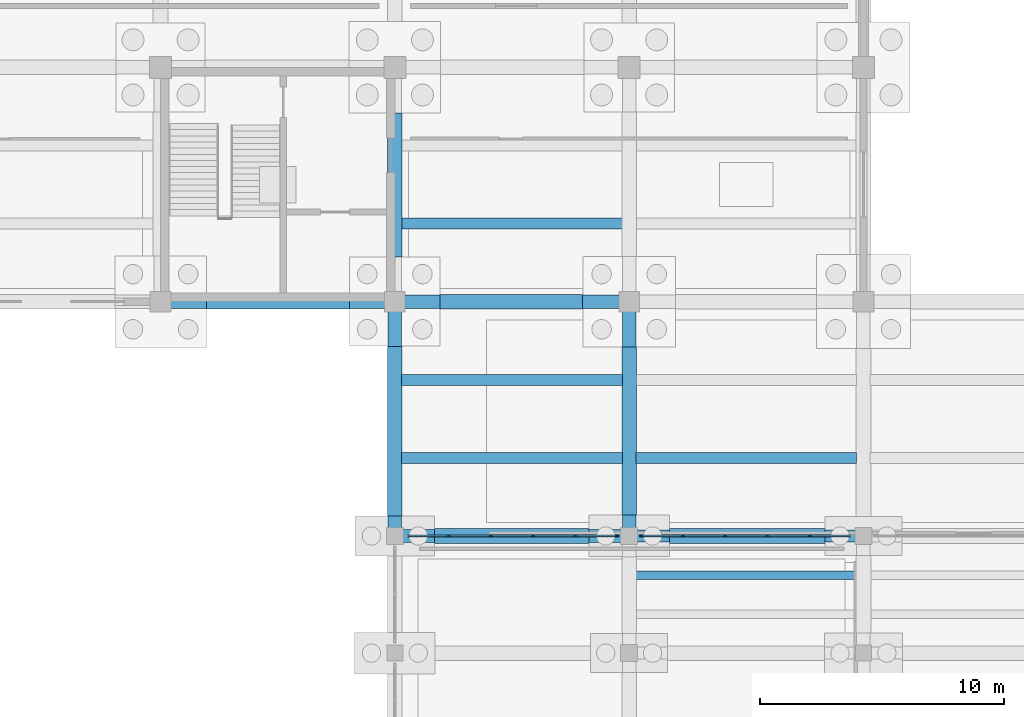
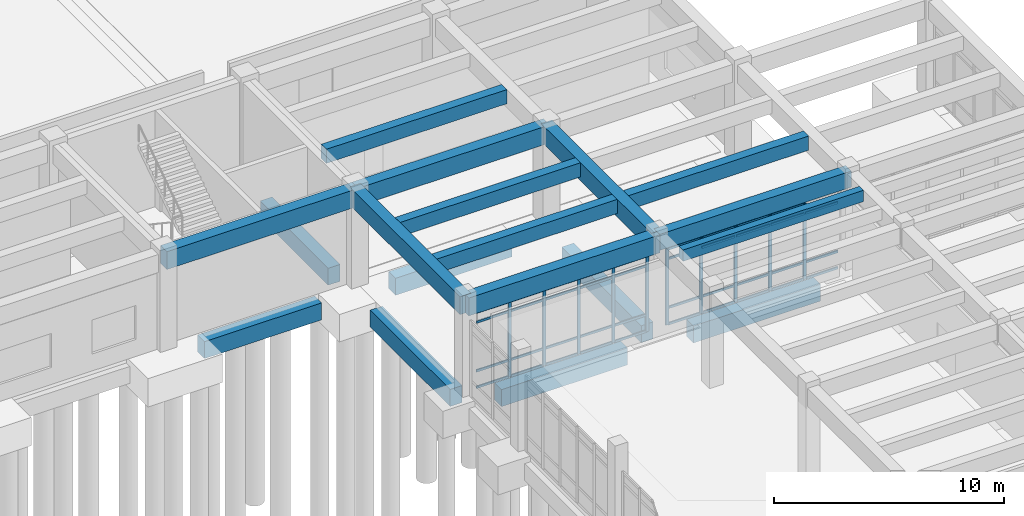
# One storey, part 51 of 102: 49 members, 18 beams, 2 elements without a shape of their own.
"""IFC4 building model written with IfcOpenShell, lengths in metres."""

from ifc_helpers import new_model, si_unit, direction, frame, origin, origin_2d, place, context, subcontext, project, spatial, rectangle, extrude, material, layer, layer_set, material_profile, profile_set, type_object, element, aggregate, save


model = new_model("IFC4")

# Units and contexts
model_context = context("Model", 3, precision=1e-05, world=origin(), true_north=direction((0.0, 1.0)))
body_context = subcontext(model_context, "Body", "Model", "MODEL_VIEW")
ifc_project = project(units=[si_unit("LENGTHUNIT", "METRE"), si_unit("AREAUNIT", "SQUARE_METRE"), si_unit("VOLUMEUNIT", "CUBIC_METRE"), si_unit("PLANEANGLEUNIT", "RADIAN"), si_unit("MASSUNIT", "GRAM", prefix="KILO")], contexts=[model_context])

# Site, building, storey
site_placement = place(None, origin())
site = spatial("IfcSite", under=ifc_project, at=site_placement, CompositionType="ELEMENT")
building_placement = place(site_placement, origin())
building = spatial("IfcBuilding", under=site, at=building_placement, Name="Kolvemor Railside Polytechnic", CompositionType="ELEMENT")
storey_placement = place(building_placement, origin())
storey = spatial("IfcBuildingStorey", under=building, at=storey_placement, Name="L00", CompositionType="ELEMENT", Elevation=0.0)

# Beams
ifc_material_1 = material(Name="Concrete C40/50", Category="concrete")
ifc_material_profile_1 = material_profile(ifc_material_1, rectangle(XDim=0.550048828125, YDim=0.949951171875, at=origin_2d()), Name="RC550x950")
ifc_profile_set_1 = profile_set([ifc_material_profile_1], Name="Concrete C40/50")
beam_type_1 = type_object("IfcBeamType", Name="BM-RC-GIRD", PredefinedType="BEAM", material=ifc_profile_set_1)
beam_1_placement = place(storey_placement, frame((124.800048828125, 91.199951171875, 4.635009765625), z_axis=(1.0, 0.0, 0.0), x_axis=(0.0, 1.0, 0.0)))
element("IfcBeam", 1, at=beam_1_placement, inside=storey, type_object=beam_type_1, Name="Primary Girder L01-GX 0502", PredefinedType="BEAM", context=body_context, shape_type="SweptSolid", body=[
    extrude(rectangle(XDim=0.550048828125, YDim=0.949951171875, at=origin_2d()), origin(), (0.0, 0.0, 1.0), 9.599853515625),
])
for number, where, z_axis, x_axis, name in (
    (2, (134.39990234375, 91.199951171875, 4.635009765625), (1.0, 0.0, 0.0), (0.0, 1.0, 0.0), "Primary Girder L01-GX 0503"),
    (3, (134.39990234375, 81.60009765625, 4.635009765625), (1.0, 0.0, 0.0), (0.0, 1.0, 0.0), "Primary Girder L01-GX 1058"),
):
    element("IfcBeam", number, at=place(storey_placement, frame(where, z_axis=z_axis, x_axis=x_axis)), inside=storey, type_object=beam_type_1, Name=name, PredefinedType="BEAM", context=body_context, shape_type="SweptSolid", body=[
        extrude(rectangle(XDim=0.550048828125, YDim=0.949951171875, at=origin_2d()), origin(), (0.0, 0.0, 1.0), 9.60009765625),
    ])
for number, where, z_axis, x_axis, name in (
    (4, (134.39990234375, 81.60009765625, 4.635009765625), (0.0, 1.0, 0.0), (-1.0, 0.0, 0.0), "Primary Girder L01-GY 1060"),
    (5, (144.0, 81.60009765625, 4.635009765625), (0.0, 1.0, 0.0), (-1.0, 0.0, 0.0), "Primary Girder L01-GY 1061"),
):
    element("IfcBeam", number, at=place(storey_placement, frame(where, z_axis=z_axis, x_axis=x_axis)), inside=storey, type_object=beam_type_1, Name=name, PredefinedType="BEAM", context=body_context, shape_type="SweptSolid", body=[
        extrude(rectangle(XDim=0.550048828125, YDim=0.949951171875, at=origin_2d()), origin(), (0.0, 0.0, 1.0), 9.599853515625),
    ])
ifc_material_2 = material(Name="Concrete C40/50", Category="concrete")
ifc_material_profile_2 = material_profile(ifc_material_2, rectangle(XDim=0.5, YDim=0.85009765625, at=origin_2d()), Name="RC500x850")
ifc_profile_set_2 = profile_set([ifc_material_profile_2], Name="Concrete C40/50")
beam_type_2 = type_object("IfcBeamType", Name="BM-RC-GIRD3", PredefinedType="BEAM", material=ifc_profile_set_2)
beam_2_placement = place(storey_placement, frame((144.0, 81.60009765625, 4.68505859375), z_axis=(1.0, 0.0, 0.0), x_axis=(0.0, 1.0, 0.0)))
element("IfcBeam", 6, at=beam_2_placement, inside=storey, type_object=beam_type_2, Name="Primary Girder L01-GX 0374", PredefinedType="BEAM", context=body_context, shape_type="SweptSolid", body=[
    extrude(rectangle(XDim=0.5, YDim=0.85009765625, at=origin_2d()), origin(), (0.0, 0.0, 1.0), 9.60009765625),
])
ifc_material_3 = material(Name="Concrete C40/50", Category="concrete")
ifc_material_profile_3 = material_profile(ifc_material_3, rectangle(XDim=0.449951171875, YDim=0.75, at=origin_2d()), Name="RC450x750")
ifc_profile_set_3 = profile_set([ifc_material_profile_3], Name="Concrete C40/50")
beam_type_3 = type_object("IfcBeamType", Name="BM-RC-SEC", PredefinedType="JOIST", material=ifc_profile_set_3)
for number, where, z_axis, x_axis, name in (
    (7, (134.675048828125, 94.39990234375, 4.735107421875), (1.0, 0.0, 0.0), (0.0, 1.0, 0.0), "Floor Joist L01-J0554"),
    (8, (134.675048828125, 84.800048828125, 4.735107421875), (1.0, 0.0, 0.0), (0.0, 1.0, 0.0), "Floor Joist L01-J1064"),
    (9, (134.675048828125, 88.0, 4.735107421875), (1.0, 0.0, 0.0), (0.0, 1.0, 0.0), "Floor Joist L01-J1065"),
    (10, (144.27490234375, 84.800048828125, 4.735107421875), (1.0, 0.0, 0.0), (0.0, 1.0, 0.0), "Floor Joist L01-J1066"),
):
    element("IfcBeam", number, at=place(storey_placement, frame(where, z_axis=z_axis, x_axis=x_axis)), inside=storey, type_object=beam_type_3, Name=name, PredefinedType="JOIST", context=body_context, shape_type="SweptSolid", body=[
        extrude(rectangle(XDim=0.449951171875, YDim=0.75, at=origin_2d()), origin(), (0.0, 0.0, 1.0), 9.050048828125),
    ])
ifc_material_4 = material(Name="Concrete C40/50", Category="concrete")
ifc_material_profile_4 = material_profile(ifc_material_4, rectangle(XDim=0.35009765625, YDim=0.60009765625, at=origin_2d()), Name="RC350x600")
ifc_profile_set_4 = profile_set([ifc_material_profile_4], Name="Concrete C40/50")
beam_type_4 = type_object("IfcBeamType", Name="BM-RC-SEC3", PredefinedType="JOIST", material=ifc_profile_set_4)
beam_3_placement = place(storey_placement, frame((144.27490234375, 80.0, 4.81005859375), z_axis=(1.0, 0.0, 0.0), x_axis=(0.0, 1.0, 0.0)))
element("IfcBeam", 11, at=beam_3_placement, inside=storey, type_object=beam_type_4, Name="Floor Joist L01-J0440", PredefinedType="JOIST", context=body_context, shape_type="SweptSolid", body=[
    extrude(rectangle(XDim=0.35009765625, YDim=0.60009765625, at=origin_2d()), origin(), (0.0, 0.0, 1.0), 9.050048828125),
])
ifc_material_5 = material(Name="Concrete C40/50", Category="concrete")
ifc_material_profile_5 = material_profile(ifc_material_5, rectangle(XDim=0.60009765625, YDim=0.89990234375, at=origin_2d()), Name="RC600x900")
ifc_profile_set_5 = profile_set([ifc_material_profile_5], Name="Concrete C40/50")
beam_type_5 = type_object("IfcBeamType", Name="BM-RC-TIE", PredefinedType="BEAM", material=ifc_profile_set_5)
beam_4_placement = place(storey_placement, frame((136.027099609375, 81.60009765625, -0.75), z_axis=(1.0, 0.0, 0.0), x_axis=(0.0, 1.0, 0.0)))
element("IfcBeam", 12, at=beam_4_placement, inside=storey, type_object=beam_type_5, Name="Ground Tie Beam GTB-X180", PredefinedType="BEAM", context=body_context, shape_type="SweptSolid", body=[
    extrude(rectangle(XDim=0.60009765625, YDim=0.89990234375, at=origin_2d()), origin(), (0.0, 0.0, 1.0), 6.32080078125),
])
beam_5_placement = place(storey_placement, frame((145.652099609375, 81.60009765625, -0.75), z_axis=(1.0, 0.0, 0.0), x_axis=(0.0, 1.0, 0.0)))
element("IfcBeam", 13, at=beam_5_placement, inside=storey, type_object=beam_type_5, Name="Ground Tie Beam GTB-X181", PredefinedType="BEAM", context=body_context, shape_type="SweptSolid", body=[
    extrude(rectangle(XDim=0.60009765625, YDim=0.89990234375, at=origin_2d()), origin(), (0.0, 0.0, 1.0), 6.370849609375),
])
beam_6_placement = place(storey_placement, frame((126.677001953125, 91.199951171875, -0.75), z_axis=(1.0, 0.0, 0.0), x_axis=(0.0, 1.0, 0.0)))
element("IfcBeam", 14, at=beam_6_placement, inside=storey, type_object=beam_type_5, Name="Ground Tie Beam GTB-X196", PredefinedType="BEAM", context=body_context, shape_type="SweptSolid", body=[
    extrude(rectangle(XDim=0.60009765625, YDim=0.89990234375, at=origin_2d()), origin(), (0.0, 0.0, 1.0), 5.87109375),
])
beam_7_placement = place(storey_placement, frame((136.251953125, 91.199951171875, -0.75), z_axis=(1.0, 0.0, 0.0), x_axis=(0.0, 1.0, 0.0)))
element("IfcBeam", 15, at=beam_7_placement, inside=storey, type_object=beam_type_5, Name="Ground Tie Beam GTB-X197", PredefinedType="BEAM", context=body_context, shape_type="SweptSolid", body=[
    extrude(rectangle(XDim=0.60009765625, YDim=0.89990234375, at=origin_2d()), origin(), (0.0, 0.0, 1.0), 5.845947265625),
])
beam_8_placement = place(storey_placement, frame((134.39990234375, 82.427001953125, -0.75), z_axis=(0.0, 1.0, 0.0), x_axis=(-1.0, 0.0, 0.0)))
element("IfcBeam", 16, at=beam_8_placement, inside=storey, type_object=beam_type_5, Name="Ground Tie Beam GTB-Y388", PredefinedType="BEAM", context=body_context, shape_type="SweptSolid", body=[
    extrude(rectangle(XDim=0.60009765625, YDim=0.89990234375, at=origin_2d()), origin(), (0.0, 0.0, 1.0), 6.946044921875),
])
beam_9_placement = place(storey_placement, frame((134.39990234375, 93.027099609375, -0.75), z_axis=(0.0, 1.0, 0.0), x_axis=(-1.0, 0.0, 0.0)))
element("IfcBeam", 17, at=beam_9_placement, inside=storey, type_object=beam_type_5, Name="Ground Tie Beam GTB-Y389", PredefinedType="BEAM", context=body_context, shape_type="SweptSolid", body=[
    extrude(rectangle(XDim=0.60009765625, YDim=0.89990234375, at=origin_2d()), origin(), (0.0, 0.0, 1.0), 5.89599609375),
])
beam_10_placement = place(storey_placement, frame((144.0, 82.451904296875, -0.75), z_axis=(0.0, 1.0, 0.0), x_axis=(-1.0, 0.0, 0.0)))
element("IfcBeam", 18, at=beam_10_placement, inside=storey, type_object=beam_type_5, Name="Ground Tie Beam GTB-Y401", PredefinedType="BEAM", context=body_context, shape_type="SweptSolid", body=[
    extrude(rectangle(XDim=0.60009765625, YDim=0.89990234375, at=origin_2d()), origin(), (0.0, 0.0, 1.0), 6.89599609375),
])

# Curtain wall, members
ifc_material_6 = material(Name="Anodised marine aluminium and laminated low-E glass", Category="aluminium")
ifc_layer = layer(ifc_material_6, 0.179931640625, Name="CW-UNIT-STD")
ifc_layer_set = layer_set([ifc_layer], Name="Anodised marine aluminium and laminated low-E glass")
curtain_wall_type = type_object("IfcCurtainWallType", Name="CW-UNIT-STD", PredefinedType="USERDEFINED", material=ifc_layer_set)
curtain_wall_1_placement = place(storey_placement, origin())
curtain_wall_1 = element("IfcCurtainWall", 19, at=curtain_wall_1_placement, inside=storey, type_object=curtain_wall_type, Name="Curtain Wall L00-031", ObjectType="UNITISED CURTAIN WALL", PredefinedType="USERDEFINED")
ifc_material_7 = material(Name="Anodised marine aluminium 6063-T6", Category="aluminium")
ifc_material_profile_6 = material_profile(ifc_material_7, rectangle(XDim=0.06494140625, YDim=0.14990234375, at=origin_2d()), Name="CW-MUL-65x150")
ifc_profile_set_6 = profile_set([ifc_material_profile_6], Name="Anodised marine aluminium 6063-T6")
member_type_1 = type_object("IfcMemberType", Name="CWM-65x150", PredefinedType="MULLION", material=ifc_profile_set_6)
member_1_placement = place(storey_placement, frame((143.49755859375, 81.60009765625, 0.0), z_axis=(0.0, 0.0, 1.0), x_axis=(0.0, -1.0, 0.0)))
member_1 = element("IfcMember", 20, at=member_1_placement, type_object=member_type_1, Name="CW-STD mullion 1", PredefinedType="MULLION", context=body_context, shape_type="SweptSolid", body=[
    extrude(rectangle(XDim=0.06494140625, YDim=0.14990234375, at=origin_2d()), origin(), (0.0, 0.0, 1.0), 4.0400390625),
])
member_2_placement = place(storey_placement, frame((141.798095703125, 81.60009765625, 0.0), z_axis=(0.0, 0.0, 1.0), x_axis=(0.0, -1.0, 0.0)))
member_2 = element("IfcMember", 21, at=member_2_placement, type_object=member_type_1, Name="CW-STD mullion 2", PredefinedType="MULLION", context=body_context, shape_type="SweptSolid", body=[
    extrude(rectangle(XDim=0.06494140625, YDim=0.14990234375, at=origin_2d()), origin(), (0.0, 0.0, 1.0), 4.0400390625),
])
member_3_placement = place(storey_placement, frame((140.06591796875, 81.60009765625, 0.0), z_axis=(0.0, 0.0, 1.0), x_axis=(0.0, -1.0, 0.0)))
member_3 = element("IfcMember", 22, at=member_3_placement, type_object=member_type_1, Name="CW-STD mullion 3", PredefinedType="MULLION", context=body_context, shape_type="SweptSolid", body=[
    extrude(rectangle(XDim=0.06494140625, YDim=0.14990234375, at=origin_2d()), origin(), (0.0, 0.0, 1.0), 4.0400390625),
])
member_4_placement = place(storey_placement, frame((138.333984375, 81.60009765625, 0.0), z_axis=(0.0, 0.0, 1.0), x_axis=(0.0, -1.0, 0.0)))
member_4 = element("IfcMember", 23, at=member_4_placement, type_object=member_type_1, Name="CW-STD mullion 4", PredefinedType="MULLION", context=body_context, shape_type="SweptSolid", body=[
    extrude(rectangle(XDim=0.06494140625, YDim=0.14990234375, at=origin_2d()), origin(), (0.0, 0.0, 1.0), 4.0400390625),
])
member_5_placement = place(storey_placement, frame((136.60205078125, 81.60009765625, 0.0), z_axis=(0.0, 0.0, 1.0), x_axis=(0.0, -1.0, 0.0)))
member_5 = element("IfcMember", 24, at=member_5_placement, type_object=member_type_1, Name="CW-STD mullion 5", PredefinedType="MULLION", context=body_context, shape_type="SweptSolid", body=[
    extrude(rectangle(XDim=0.06494140625, YDim=0.14990234375, at=origin_2d()), origin(), (0.0, 0.0, 1.0), 4.0400390625),
])

curtain_wall_2_placement = place(storey_placement, origin())
curtain_wall_2 = element("IfcCurtainWall", 25, at=curtain_wall_2_placement, inside=storey, type_object=curtain_wall_type, Name="Curtain Wall L00-032", ObjectType="UNITISED CURTAIN WALL", PredefinedType="USERDEFINED")
member_6_placement = place(storey_placement, frame((151.39794921875, 81.60009765625, 0.0), z_axis=(0.0, 0.0, 1.0), x_axis=(0.0, -1.0, 0.0)))
member_6 = element("IfcMember", 26, at=member_6_placement, type_object=member_type_1, Name="CW-STD mullion 2", PredefinedType="MULLION", context=body_context, shape_type="SweptSolid", body=[
    extrude(rectangle(XDim=0.06494140625, YDim=0.14990234375, at=origin_2d()), origin(), (0.0, 0.0, 1.0), 4.0400390625),
])
member_7_placement = place(storey_placement, frame((149.666015625, 81.60009765625, 0.0), z_axis=(0.0, 0.0, 1.0), x_axis=(0.0, -1.0, 0.0)))
member_7 = element("IfcMember", 27, at=member_7_placement, type_object=member_type_1, Name="CW-STD mullion 3", PredefinedType="MULLION", context=body_context, shape_type="SweptSolid", body=[
    extrude(rectangle(XDim=0.06494140625, YDim=0.14990234375, at=origin_2d()), origin(), (0.0, 0.0, 1.0), 4.0400390625),
])
member_8_placement = place(storey_placement, frame((147.93408203125, 81.60009765625, 0.0), z_axis=(0.0, 0.0, 1.0), x_axis=(0.0, -1.0, 0.0)))
member_8 = element("IfcMember", 28, at=member_8_placement, type_object=member_type_1, Name="CW-STD mullion 4", PredefinedType="MULLION", context=body_context, shape_type="SweptSolid", body=[
    extrude(rectangle(XDim=0.06494140625, YDim=0.14990234375, at=origin_2d()), origin(), (0.0, 0.0, 1.0), 4.0400390625),
])
member_9_placement = place(storey_placement, frame((146.201904296875, 81.60009765625, 0.0), z_axis=(0.0, 0.0, 1.0), x_axis=(0.0, -1.0, 0.0)))
member_9 = element("IfcMember", 29, at=member_9_placement, type_object=member_type_1, Name="CW-STD mullion 5", PredefinedType="MULLION", context=body_context, shape_type="SweptSolid", body=[
    extrude(rectangle(XDim=0.06494140625, YDim=0.14990234375, at=origin_2d()), origin(), (0.0, 0.0, 1.0), 4.0400390625),
])
member_10_placement = place(storey_placement, frame((144.50244140625, 81.60009765625, 0.0), z_axis=(0.0, 0.0, 1.0), x_axis=(0.0, -1.0, 0.0)))
member_10 = element("IfcMember", 30, at=member_10_placement, type_object=member_type_1, Name="CW-STD mullion 6", PredefinedType="MULLION", context=body_context, shape_type="SweptSolid", body=[
    extrude(rectangle(XDim=0.06494140625, YDim=0.14990234375, at=origin_2d()), origin(), (0.0, 0.0, 1.0), 4.0400390625),
])

# Member
ifc_material_8 = material(Name="Anodised marine aluminium 6063-T6", Category="aluminium")
ifc_material_profile_7 = material_profile(ifc_material_8, rectangle(XDim=0.06494140625, YDim=0.1201171875, at=origin_2d()), Name="CW-TRN-65x120")
ifc_profile_set_7 = profile_set([ifc_material_profile_7], Name="Anodised marine aluminium 6063-T6")
member_type_2 = type_object("IfcMemberType", Name="CWT-65x120", PredefinedType="USERDEFINED", material=ifc_profile_set_7)
member_11_placement = place(storey_placement, frame((143.465087890625, 81.60009765625, 0.032470703125), z_axis=(-1.0, 0.0, 0.0), x_axis=(0.0, -1.0, 0.0)))
member_11 = element("IfcMember", 31, at=member_11_placement, type_object=member_type_2, Name="CW-STD transom 1.1", ObjectType="TRANSOM", PredefinedType="USERDEFINED", context=body_context, shape_type="SweptSolid", body=[
    extrude(rectangle(XDim=0.06494140625, YDim=0.1201171875, at=origin_2d()), origin(), (0.0, 0.0, 1.0), 1.634521484375),
])

member_12_placement = place(storey_placement, frame((143.465087890625, 81.60009765625, 0.89990234375), z_axis=(-1.0, 0.0, 0.0), x_axis=(0.0, -1.0, 0.0)))
member_12 = element("IfcMember", 32, at=member_12_placement, type_object=member_type_2, Name="CW-STD transom 1.2", ObjectType="TRANSOM", PredefinedType="USERDEFINED", context=body_context, shape_type="SweptSolid", body=[
    extrude(rectangle(XDim=0.06494140625, YDim=0.1201171875, at=origin_2d()), origin(), (0.0, 0.0, 1.0), 1.634521484375),
])

member_13_placement = place(storey_placement, frame((143.465087890625, 81.60009765625, 3.489990234375), z_axis=(-1.0, 0.0, 0.0), x_axis=(0.0, -1.0, 0.0)))
member_13 = element("IfcMember", 33, at=member_13_placement, type_object=member_type_2, Name="CW-STD transom 1.3", ObjectType="TRANSOM", PredefinedType="USERDEFINED", context=body_context, shape_type="SweptSolid", body=[
    extrude(rectangle(XDim=0.06494140625, YDim=0.1201171875, at=origin_2d()), origin(), (0.0, 0.0, 1.0), 1.634521484375),
])

member_14_placement = place(storey_placement, frame((143.465087890625, 81.60009765625, 4.007568359375), z_axis=(-1.0, 0.0, 0.0), x_axis=(0.0, -1.0, 0.0)))
member_14 = element("IfcMember", 34, at=member_14_placement, type_object=member_type_2, Name="CW-STD transom 1.4", ObjectType="TRANSOM", PredefinedType="USERDEFINED", context=body_context, shape_type="SweptSolid", body=[
    extrude(rectangle(XDim=0.06494140625, YDim=0.1201171875, at=origin_2d()), origin(), (0.0, 0.0, 1.0), 1.634521484375),
])

member_15_placement = place(storey_placement, frame((141.765380859375, 81.60009765625, 0.032470703125), z_axis=(-1.0, 0.0, 0.0), x_axis=(0.0, -1.0, 0.0)))
member_15 = element("IfcMember", 35, at=member_15_placement, type_object=member_type_2, Name="CW-STD transom 2.1", ObjectType="TRANSOM", PredefinedType="USERDEFINED", context=body_context, shape_type="SweptSolid", body=[
    extrude(rectangle(XDim=0.06494140625, YDim=0.1201171875, at=origin_2d()), origin(), (0.0, 0.0, 1.0), 1.6669921875),
])

member_16_placement = place(storey_placement, frame((141.765380859375, 81.60009765625, 0.89990234375), z_axis=(-1.0, 0.0, 0.0), x_axis=(0.0, -1.0, 0.0)))
member_16 = element("IfcMember", 36, at=member_16_placement, type_object=member_type_2, Name="CW-STD transom 2.2", ObjectType="TRANSOM", PredefinedType="USERDEFINED", context=body_context, shape_type="SweptSolid", body=[
    extrude(rectangle(XDim=0.06494140625, YDim=0.1201171875, at=origin_2d()), origin(), (0.0, 0.0, 1.0), 1.6669921875),
])

member_17_placement = place(storey_placement, frame((141.765380859375, 81.60009765625, 3.489990234375), z_axis=(-1.0, 0.0, 0.0), x_axis=(0.0, -1.0, 0.0)))
member_17 = element("IfcMember", 37, at=member_17_placement, type_object=member_type_2, Name="CW-STD transom 2.3", ObjectType="TRANSOM", PredefinedType="USERDEFINED", context=body_context, shape_type="SweptSolid", body=[
    extrude(rectangle(XDim=0.06494140625, YDim=0.1201171875, at=origin_2d()), origin(), (0.0, 0.0, 1.0), 1.6669921875),
])

member_18_placement = place(storey_placement, frame((141.765380859375, 81.60009765625, 4.007568359375), z_axis=(-1.0, 0.0, 0.0), x_axis=(0.0, -1.0, 0.0)))
member_18 = element("IfcMember", 38, at=member_18_placement, type_object=member_type_2, Name="CW-STD transom 2.4", ObjectType="TRANSOM", PredefinedType="USERDEFINED", context=body_context, shape_type="SweptSolid", body=[
    extrude(rectangle(XDim=0.06494140625, YDim=0.1201171875, at=origin_2d()), origin(), (0.0, 0.0, 1.0), 1.6669921875),
])

member_19_placement = place(storey_placement, frame((140.033447265625, 81.60009765625, 0.032470703125), z_axis=(-1.0, 0.0, 0.0), x_axis=(0.0, -1.0, 0.0)))
member_19 = element("IfcMember", 39, at=member_19_placement, type_object=member_type_2, Name="CW-STD transom 3.1", ObjectType="TRANSOM", PredefinedType="USERDEFINED", context=body_context, shape_type="SweptSolid", body=[
    extrude(rectangle(XDim=0.06494140625, YDim=0.1201171875, at=origin_2d()), origin(), (0.0, 0.0, 1.0), 1.6669921875),
])

member_20_placement = place(storey_placement, frame((140.033447265625, 81.60009765625, 0.89990234375), z_axis=(-1.0, 0.0, 0.0), x_axis=(0.0, -1.0, 0.0)))
member_20 = element("IfcMember", 40, at=member_20_placement, type_object=member_type_2, Name="CW-STD transom 3.2", ObjectType="TRANSOM", PredefinedType="USERDEFINED", context=body_context, shape_type="SweptSolid", body=[
    extrude(rectangle(XDim=0.06494140625, YDim=0.1201171875, at=origin_2d()), origin(), (0.0, 0.0, 1.0), 1.6669921875),
])

member_21_placement = place(storey_placement, frame((140.033447265625, 81.60009765625, 3.489990234375), z_axis=(-1.0, 0.0, 0.0), x_axis=(0.0, -1.0, 0.0)))
member_21 = element("IfcMember", 41, at=member_21_placement, type_object=member_type_2, Name="CW-STD transom 3.3", ObjectType="TRANSOM", PredefinedType="USERDEFINED", context=body_context, shape_type="SweptSolid", body=[
    extrude(rectangle(XDim=0.06494140625, YDim=0.1201171875, at=origin_2d()), origin(), (0.0, 0.0, 1.0), 1.6669921875),
])

member_22_placement = place(storey_placement, frame((140.033447265625, 81.60009765625, 4.007568359375), z_axis=(-1.0, 0.0, 0.0), x_axis=(0.0, -1.0, 0.0)))
member_22 = element("IfcMember", 42, at=member_22_placement, type_object=member_type_2, Name="CW-STD transom 3.4", ObjectType="TRANSOM", PredefinedType="USERDEFINED", context=body_context, shape_type="SweptSolid", body=[
    extrude(rectangle(XDim=0.06494140625, YDim=0.1201171875, at=origin_2d()), origin(), (0.0, 0.0, 1.0), 1.6669921875),
])

member_23_placement = place(storey_placement, frame((138.301513671875, 81.60009765625, 0.032470703125), z_axis=(-1.0, 0.0, 0.0), x_axis=(0.0, -1.0, 0.0)))
member_23 = element("IfcMember", 43, at=member_23_placement, type_object=member_type_2, Name="CW-STD transom 4.1", ObjectType="TRANSOM", PredefinedType="USERDEFINED", context=body_context, shape_type="SweptSolid", body=[
    extrude(rectangle(XDim=0.06494140625, YDim=0.1201171875, at=origin_2d()), origin(), (0.0, 0.0, 1.0), 1.6669921875),
])

member_24_placement = place(storey_placement, frame((138.301513671875, 81.60009765625, 0.89990234375), z_axis=(-1.0, 0.0, 0.0), x_axis=(0.0, -1.0, 0.0)))
member_24 = element("IfcMember", 44, at=member_24_placement, type_object=member_type_2, Name="CW-STD transom 4.2", ObjectType="TRANSOM", PredefinedType="USERDEFINED", context=body_context, shape_type="SweptSolid", body=[
    extrude(rectangle(XDim=0.06494140625, YDim=0.1201171875, at=origin_2d()), origin(), (0.0, 0.0, 1.0), 1.6669921875),
])

member_25_placement = place(storey_placement, frame((138.301513671875, 81.60009765625, 3.489990234375), z_axis=(-1.0, 0.0, 0.0), x_axis=(0.0, -1.0, 0.0)))
member_25 = element("IfcMember", 45, at=member_25_placement, type_object=member_type_2, Name="CW-STD transom 4.3", ObjectType="TRANSOM", PredefinedType="USERDEFINED", context=body_context, shape_type="SweptSolid", body=[
    extrude(rectangle(XDim=0.06494140625, YDim=0.1201171875, at=origin_2d()), origin(), (0.0, 0.0, 1.0), 1.6669921875),
])

member_26_placement = place(storey_placement, frame((138.301513671875, 81.60009765625, 4.007568359375), z_axis=(-1.0, 0.0, 0.0), x_axis=(0.0, -1.0, 0.0)))
member_26 = element("IfcMember", 46, at=member_26_placement, type_object=member_type_2, Name="CW-STD transom 4.4", ObjectType="TRANSOM", PredefinedType="USERDEFINED", context=body_context, shape_type="SweptSolid", body=[
    extrude(rectangle(XDim=0.06494140625, YDim=0.1201171875, at=origin_2d()), origin(), (0.0, 0.0, 1.0), 1.6669921875),
])

member_27_placement = place(storey_placement, frame((136.569580078125, 81.60009765625, 0.032470703125), z_axis=(-1.0, 0.0, 0.0), x_axis=(0.0, -1.0, 0.0)))
member_27 = element("IfcMember", 47, at=member_27_placement, type_object=member_type_2, Name="CW-STD transom 5.1", ObjectType="TRANSOM", PredefinedType="USERDEFINED", context=body_context, shape_type="SweptSolid", body=[
    extrude(rectangle(XDim=0.06494140625, YDim=0.1201171875, at=origin_2d()), origin(), (0.0, 0.0, 1.0), 1.634521484375),
])

member_28_placement = place(storey_placement, frame((136.569580078125, 81.60009765625, 0.89990234375), z_axis=(-1.0, 0.0, 0.0), x_axis=(0.0, -1.0, 0.0)))
member_28 = element("IfcMember", 48, at=member_28_placement, type_object=member_type_2, Name="CW-STD transom 5.2", ObjectType="TRANSOM", PredefinedType="USERDEFINED", context=body_context, shape_type="SweptSolid", body=[
    extrude(rectangle(XDim=0.06494140625, YDim=0.1201171875, at=origin_2d()), origin(), (0.0, 0.0, 1.0), 1.634521484375),
])

member_29_placement = place(storey_placement, frame((136.569580078125, 81.60009765625, 3.489990234375), z_axis=(-1.0, 0.0, 0.0), x_axis=(0.0, -1.0, 0.0)))
member_29 = element("IfcMember", 49, at=member_29_placement, type_object=member_type_2, Name="CW-STD transom 5.3", ObjectType="TRANSOM", PredefinedType="USERDEFINED", context=body_context, shape_type="SweptSolid", body=[
    extrude(rectangle(XDim=0.06494140625, YDim=0.1201171875, at=origin_2d()), origin(), (0.0, 0.0, 1.0), 1.634521484375),
])

member_30_placement = place(storey_placement, frame((136.569580078125, 81.60009765625, 4.007568359375), z_axis=(-1.0, 0.0, 0.0), x_axis=(0.0, -1.0, 0.0)))
member_30 = element("IfcMember", 50, at=member_30_placement, type_object=member_type_2, Name="CW-STD transom 5.4", ObjectType="TRANSOM", PredefinedType="USERDEFINED", context=body_context, shape_type="SweptSolid", body=[
    extrude(rectangle(XDim=0.06494140625, YDim=0.1201171875, at=origin_2d()), origin(), (0.0, 0.0, 1.0), 1.634521484375),
])

aggregate(curtain_wall_1, [member_1, member_2, member_3, member_4, member_5, member_11, member_12, member_13, member_14, member_15, member_16, member_17, member_18, member_19, member_20, member_21, member_22, member_23, member_24, member_25, member_26, member_27, member_28, member_29, member_30])

member_31_placement = place(storey_placement, frame((153.06494140625, 81.60009765625, 0.032470703125), z_axis=(-1.0, 0.0, 0.0), x_axis=(0.0, -1.0, 0.0)))
member_31 = element("IfcMember", 51, at=member_31_placement, type_object=member_type_2, Name="CW-STD transom 1.1", ObjectType="TRANSOM", PredefinedType="USERDEFINED", context=body_context, shape_type="SweptSolid", body=[
    extrude(rectangle(XDim=0.06494140625, YDim=0.1201171875, at=origin_2d()), origin(), (0.0, 0.0, 1.0), 1.634521484375),
])

member_32_placement = place(storey_placement, frame((153.06494140625, 81.60009765625, 0.89990234375), z_axis=(-1.0, 0.0, 0.0), x_axis=(0.0, -1.0, 0.0)))
member_32 = element("IfcMember", 52, at=member_32_placement, type_object=member_type_2, Name="CW-STD transom 1.2", ObjectType="TRANSOM", PredefinedType="USERDEFINED", context=body_context, shape_type="SweptSolid", body=[
    extrude(rectangle(XDim=0.06494140625, YDim=0.1201171875, at=origin_2d()), origin(), (0.0, 0.0, 1.0), 1.634521484375),
])

member_33_placement = place(storey_placement, frame((153.06494140625, 81.60009765625, 3.489990234375), z_axis=(-1.0, 0.0, 0.0), x_axis=(0.0, -1.0, 0.0)))
member_33 = element("IfcMember", 53, at=member_33_placement, type_object=member_type_2, Name="CW-STD transom 1.3", ObjectType="TRANSOM", PredefinedType="USERDEFINED", context=body_context, shape_type="SweptSolid", body=[
    extrude(rectangle(XDim=0.06494140625, YDim=0.1201171875, at=origin_2d()), origin(), (0.0, 0.0, 1.0), 1.634521484375),
])

member_34_placement = place(storey_placement, frame((151.365478515625, 81.60009765625, 0.032470703125), z_axis=(-1.0, 0.0, 0.0), x_axis=(0.0, -1.0, 0.0)))
member_34 = element("IfcMember", 54, at=member_34_placement, type_object=member_type_2, Name="CW-STD transom 2.1", ObjectType="TRANSOM", PredefinedType="USERDEFINED", context=body_context, shape_type="SweptSolid", body=[
    extrude(rectangle(XDim=0.06494140625, YDim=0.1201171875, at=origin_2d()), origin(), (0.0, 0.0, 1.0), 1.6669921875),
])

member_35_placement = place(storey_placement, frame((151.365478515625, 81.60009765625, 0.89990234375), z_axis=(-1.0, 0.0, 0.0), x_axis=(0.0, -1.0, 0.0)))
member_35 = element("IfcMember", 55, at=member_35_placement, type_object=member_type_2, Name="CW-STD transom 2.2", ObjectType="TRANSOM", PredefinedType="USERDEFINED", context=body_context, shape_type="SweptSolid", body=[
    extrude(rectangle(XDim=0.06494140625, YDim=0.1201171875, at=origin_2d()), origin(), (0.0, 0.0, 1.0), 1.6669921875),
])

member_36_placement = place(storey_placement, frame((151.365478515625, 81.60009765625, 3.489990234375), z_axis=(-1.0, 0.0, 0.0), x_axis=(0.0, -1.0, 0.0)))
member_36 = element("IfcMember", 56, at=member_36_placement, type_object=member_type_2, Name="CW-STD transom 2.3", ObjectType="TRANSOM", PredefinedType="USERDEFINED", context=body_context, shape_type="SweptSolid", body=[
    extrude(rectangle(XDim=0.06494140625, YDim=0.1201171875, at=origin_2d()), origin(), (0.0, 0.0, 1.0), 1.6669921875),
])

member_37_placement = place(storey_placement, frame((151.365478515625, 81.60009765625, 4.007568359375), z_axis=(-1.0, 0.0, 0.0), x_axis=(0.0, -1.0, 0.0)))
member_37 = element("IfcMember", 57, at=member_37_placement, type_object=member_type_2, Name="CW-STD transom 2.4", ObjectType="TRANSOM", PredefinedType="USERDEFINED", context=body_context, shape_type="SweptSolid", body=[
    extrude(rectangle(XDim=0.06494140625, YDim=0.1201171875, at=origin_2d()), origin(), (0.0, 0.0, 1.0), 1.6669921875),
])

member_38_placement = place(storey_placement, frame((149.633544921875, 81.60009765625, 0.032470703125), z_axis=(-1.0, 0.0, 0.0), x_axis=(0.0, -1.0, 0.0)))
member_38 = element("IfcMember", 58, at=member_38_placement, type_object=member_type_2, Name="CW-STD transom 3.1", ObjectType="TRANSOM", PredefinedType="USERDEFINED", context=body_context, shape_type="SweptSolid", body=[
    extrude(rectangle(XDim=0.06494140625, YDim=0.1201171875, at=origin_2d()), origin(), (0.0, 0.0, 1.0), 1.6669921875),
])

member_39_placement = place(storey_placement, frame((149.633544921875, 81.60009765625, 0.89990234375), z_axis=(-1.0, 0.0, 0.0), x_axis=(0.0, -1.0, 0.0)))
member_39 = element("IfcMember", 59, at=member_39_placement, type_object=member_type_2, Name="CW-STD transom 3.2", ObjectType="TRANSOM", PredefinedType="USERDEFINED", context=body_context, shape_type="SweptSolid", body=[
    extrude(rectangle(XDim=0.06494140625, YDim=0.1201171875, at=origin_2d()), origin(), (0.0, 0.0, 1.0), 1.6669921875),
])

member_40_placement = place(storey_placement, frame((149.633544921875, 81.60009765625, 3.489990234375), z_axis=(-1.0, 0.0, 0.0), x_axis=(0.0, -1.0, 0.0)))
member_40 = element("IfcMember", 60, at=member_40_placement, type_object=member_type_2, Name="CW-STD transom 3.3", ObjectType="TRANSOM", PredefinedType="USERDEFINED", context=body_context, shape_type="SweptSolid", body=[
    extrude(rectangle(XDim=0.06494140625, YDim=0.1201171875, at=origin_2d()), origin(), (0.0, 0.0, 1.0), 1.6669921875),
])

member_41_placement = place(storey_placement, frame((149.633544921875, 81.60009765625, 4.007568359375), z_axis=(-1.0, 0.0, 0.0), x_axis=(0.0, -1.0, 0.0)))
member_41 = element("IfcMember", 61, at=member_41_placement, type_object=member_type_2, Name="CW-STD transom 3.4", ObjectType="TRANSOM", PredefinedType="USERDEFINED", context=body_context, shape_type="SweptSolid", body=[
    extrude(rectangle(XDim=0.06494140625, YDim=0.1201171875, at=origin_2d()), origin(), (0.0, 0.0, 1.0), 1.6669921875),
])

member_42_placement = place(storey_placement, frame((147.901611328125, 81.60009765625, 0.032470703125), z_axis=(-1.0, 0.0, 0.0), x_axis=(0.0, -1.0, 0.0)))
member_42 = element("IfcMember", 62, at=member_42_placement, type_object=member_type_2, Name="CW-STD transom 4.1", ObjectType="TRANSOM", PredefinedType="USERDEFINED", context=body_context, shape_type="SweptSolid", body=[
    extrude(rectangle(XDim=0.06494140625, YDim=0.1201171875, at=origin_2d()), origin(), (0.0, 0.0, 1.0), 1.6669921875),
])

member_43_placement = place(storey_placement, frame((147.901611328125, 81.60009765625, 0.89990234375), z_axis=(-1.0, 0.0, 0.0), x_axis=(0.0, -1.0, 0.0)))
member_43 = element("IfcMember", 63, at=member_43_placement, type_object=member_type_2, Name="CW-STD transom 4.2", ObjectType="TRANSOM", PredefinedType="USERDEFINED", context=body_context, shape_type="SweptSolid", body=[
    extrude(rectangle(XDim=0.06494140625, YDim=0.1201171875, at=origin_2d()), origin(), (0.0, 0.0, 1.0), 1.6669921875),
])

member_44_placement = place(storey_placement, frame((147.901611328125, 81.60009765625, 3.489990234375), z_axis=(-1.0, 0.0, 0.0), x_axis=(0.0, -1.0, 0.0)))
member_44 = element("IfcMember", 64, at=member_44_placement, type_object=member_type_2, Name="CW-STD transom 4.3", ObjectType="TRANSOM", PredefinedType="USERDEFINED", context=body_context, shape_type="SweptSolid", body=[
    extrude(rectangle(XDim=0.06494140625, YDim=0.1201171875, at=origin_2d()), origin(), (0.0, 0.0, 1.0), 1.6669921875),
])

member_45_placement = place(storey_placement, frame((147.901611328125, 81.60009765625, 4.007568359375), z_axis=(-1.0, 0.0, 0.0), x_axis=(0.0, -1.0, 0.0)))
member_45 = element("IfcMember", 65, at=member_45_placement, type_object=member_type_2, Name="CW-STD transom 4.4", ObjectType="TRANSOM", PredefinedType="USERDEFINED", context=body_context, shape_type="SweptSolid", body=[
    extrude(rectangle(XDim=0.06494140625, YDim=0.1201171875, at=origin_2d()), origin(), (0.0, 0.0, 1.0), 1.6669921875),
])

member_46_placement = place(storey_placement, frame((146.16943359375, 81.60009765625, 0.032470703125), z_axis=(-1.0, 0.0, 0.0), x_axis=(0.0, -1.0, 0.0)))
member_46 = element("IfcMember", 66, at=member_46_placement, type_object=member_type_2, Name="CW-STD transom 5.1", ObjectType="TRANSOM", PredefinedType="USERDEFINED", context=body_context, shape_type="SweptSolid", body=[
    extrude(rectangle(XDim=0.06494140625, YDim=0.1201171875, at=origin_2d()), origin(), (0.0, 0.0, 1.0), 1.634521484375),
])

member_47_placement = place(storey_placement, frame((146.16943359375, 81.60009765625, 0.89990234375), z_axis=(-1.0, 0.0, 0.0), x_axis=(0.0, -1.0, 0.0)))
member_47 = element("IfcMember", 67, at=member_47_placement, type_object=member_type_2, Name="CW-STD transom 5.2", ObjectType="TRANSOM", PredefinedType="USERDEFINED", context=body_context, shape_type="SweptSolid", body=[
    extrude(rectangle(XDim=0.06494140625, YDim=0.1201171875, at=origin_2d()), origin(), (0.0, 0.0, 1.0), 1.634521484375),
])

member_48_placement = place(storey_placement, frame((146.16943359375, 81.60009765625, 3.489990234375), z_axis=(-1.0, 0.0, 0.0), x_axis=(0.0, -1.0, 0.0)))
member_48 = element("IfcMember", 68, at=member_48_placement, type_object=member_type_2, Name="CW-STD transom 5.3", ObjectType="TRANSOM", PredefinedType="USERDEFINED", context=body_context, shape_type="SweptSolid", body=[
    extrude(rectangle(XDim=0.06494140625, YDim=0.1201171875, at=origin_2d()), origin(), (0.0, 0.0, 1.0), 1.634521484375),
])

member_49_placement = place(storey_placement, frame((146.16943359375, 81.60009765625, 4.007568359375), z_axis=(-1.0, 0.0, 0.0), x_axis=(0.0, -1.0, 0.0)))
member_49 = element("IfcMember", 69, at=member_49_placement, type_object=member_type_2, Name="CW-STD transom 5.4", ObjectType="TRANSOM", PredefinedType="USERDEFINED", context=body_context, shape_type="SweptSolid", body=[
    extrude(rectangle(XDim=0.06494140625, YDim=0.1201171875, at=origin_2d()), origin(), (0.0, 0.0, 1.0), 1.634521484375),
])

aggregate(curtain_wall_2, [member_6, member_7, member_8, member_9, member_10, member_31, member_32, member_33, member_34, member_35, member_36, member_37, member_38, member_39, member_40, member_41, member_42, member_43, member_44, member_45, member_46, member_47, member_48, member_49])

save(model, "model.ifc")
